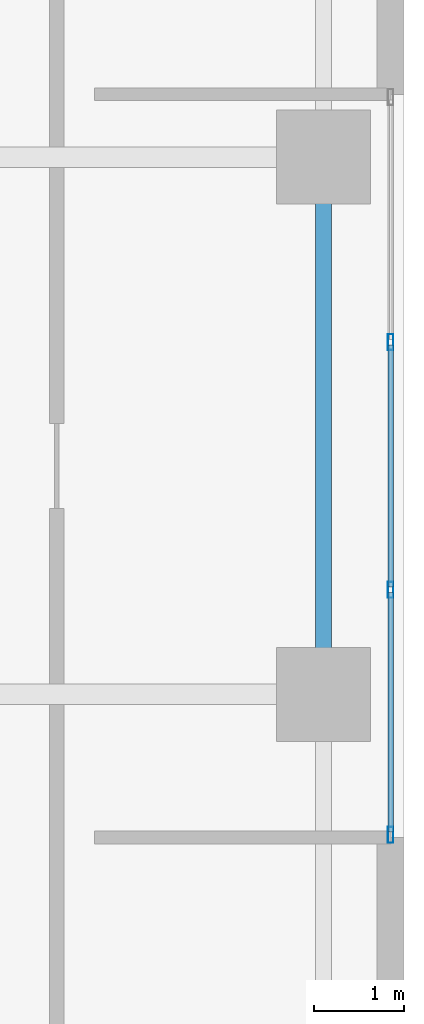
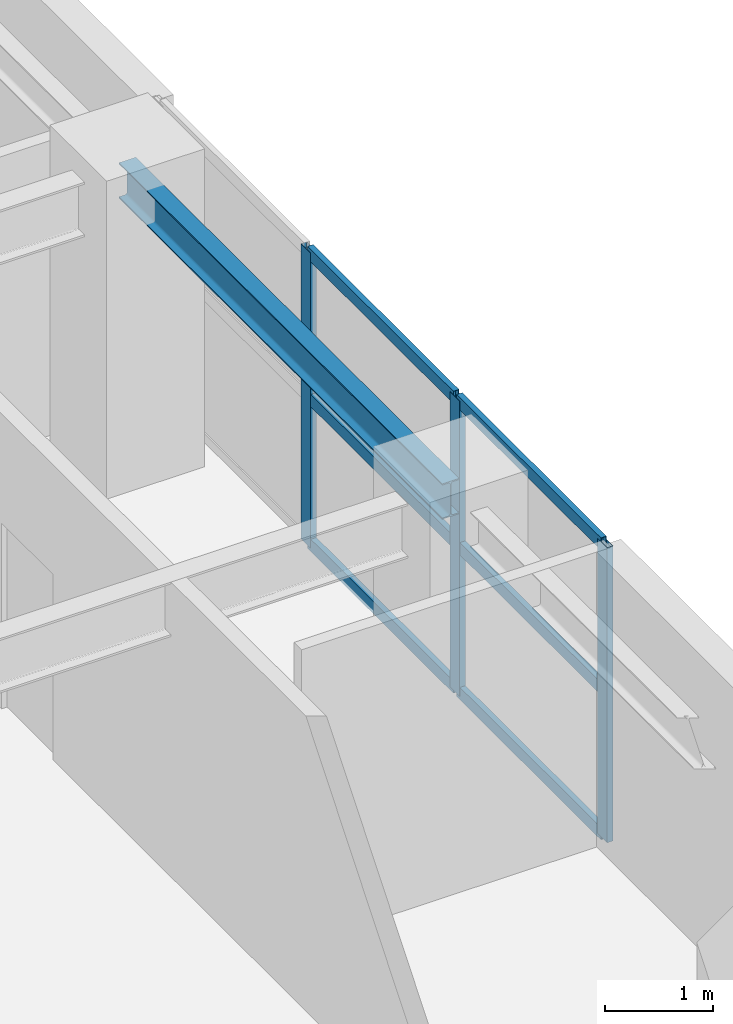
# One storey, part 4 of 15: 9 members, 1 beam, 1 element without a shape of its own.
"""IFC4 building model written with IfcOpenShell, lengths in metres."""

from ifc_helpers import new_model, si_unit, direction, frame, origin, origin_2d, place, context, subcontext, project, spatial, hollow_rectangle, i_section, extrude, source, transform, mapped, material, layer, layer_set, material_profile, profile_set, type_object, element, aggregate, save


model = new_model("IFC4")

# Units and contexts
model_context = context("Model", 3, precision=1e-05, world=origin(), true_north=direction((0.0, 1.0)))
body_context = subcontext(model_context, "Body", "Model", "MODEL_VIEW")
ifc_project = project(units=[si_unit("LENGTHUNIT", "METRE"), si_unit("AREAUNIT", "SQUARE_METRE"), si_unit("VOLUMEUNIT", "CUBIC_METRE"), si_unit("PLANEANGLEUNIT", "RADIAN"), si_unit("MASSUNIT", "GRAM", prefix="KILO")], contexts=[model_context])

# Site, building, storey
site_placement = place(None, origin())
site = spatial("IfcSite", under=ifc_project, at=site_placement, CompositionType="ELEMENT")
building_placement = place(site_placement, origin())
building = spatial("IfcBuilding", under=site, at=building_placement, Name="Khoralis Quay Care Tower", CompositionType="ELEMENT")
storey_placement = place(building_placement, frame((0.0, 0.0, 123.300048828125)))
storey = spatial("IfcBuildingStorey", under=building, at=storey_placement, Name="L32", CompositionType="ELEMENT", Elevation=123.300048828125)

# Beam
ifc_material_1 = material(Name="Steel S355", Category="steel")
ifc_material_profile_1 = material_profile(ifc_material_1, i_section(OverallWidth=0.179931640625, OverallDepth=0.39990234375, WebThickness=0.008544921875, FlangeThickness=0.013427734375, FilletRadius=0.02099609375, at=origin_2d()), Name="Steel S355")
ifc_profile_set_1 = profile_set([ifc_material_profile_1], Name="Steel S355")
beam_type = type_object("IfcBeamType", Name="BM-IPE400", PredefinedType="SPANDREL", material=ifc_profile_set_1)
shared_shape_1 = source(origin(), body_context, "Body", "SweptSolid", [
    extrude(i_section(OverallWidth=0.179931640625, OverallDepth=0.39990234375, WebThickness=0.008544921875, FlangeThickness=0.013427734375, FilletRadius=0.02099609375, at=origin_2d()), origin(), (0.0, 0.0, 1.0), 6.0),
])
beam_placement = place(storey_placement, frame((44.10009765625, 18.0, 3.139892578125), z_axis=(0.0, 1.0, 0.0), x_axis=(-1.0, 0.0, 0.0)))
element("IfcBeam", 1, at=beam_placement, inside=storey, type_object=beam_type, Name="BM-TSP-L32-18", PredefinedType="SPANDREL", context=body_context, shape_type="MappedRepresentation", body=[
    mapped(shared_shape_1, transform((0.0, 0.0, 0.0), scale=1.0)),
])

# Curtain wall, members
ifc_material_2 = material(Name="Pale anodised aluminium", Category="aluminium")
ifc_layer = layer(ifc_material_2, 0.169921875)
ifc_layer_set = layer_set([ifc_layer], Name="Pale anodised aluminium")
curtain_wall_type = type_object("IfcCurtainWallType", Name="CW-SYS-Z2", PredefinedType="NOTDEFINED", material=ifc_layer_set)
curtain_wall_placement = place(storey_placement, origin())
curtain_wall = element("IfcCurtainWall", 2, at=curtain_wall_placement, inside=storey, type_object=curtain_wall_type, Name="L32 Unitised Curtain Wall CW-L32-P1-E5", PredefinedType="NOTDEFINED")
ifc_material_profile_2 = material_profile(ifc_material_2, hollow_rectangle(XDim=0.06005859375, YDim=0.139892578125, WallThickness=0.00390625, at=origin_2d()), Name="Pale anodised aluminium")
ifc_profile_set_2 = profile_set([ifc_material_profile_2], Name="Pale anodised aluminium")
member_type_1 = type_object("IfcMemberType", Name="CW-TRN-140", PredefinedType="USERDEFINED", material=ifc_profile_set_2)
shared_shape_2 = source(origin(), body_context, "Body", "SweptSolid", [
    extrude(hollow_rectangle(XDim=0.06005859375, YDim=0.139892578125, WallThickness=0.00390625, at=origin_2d()), origin(), (0.0, 0.0, 1.0), 2.6767578125),
])
member_1_placement = place(storey_placement, frame((44.85009765625, 16.4599609375, 0.030029296875), z_axis=(0.0, 1.0, 0.0), x_axis=(-1.0, 0.0, 0.0)))
member_1 = element("IfcMember", 3, at=member_1_placement, type_object=member_type_1, Name="CW2 transom 1.1", ObjectType="TRANSOM", PredefinedType="USERDEFINED", context=body_context, shape_type="MappedRepresentation", body=[
    mapped(shared_shape_2, transform((0.0, 0.0, 0.0), scale=1.0)),
])
member_2_placement = place(storey_placement, frame((44.85009765625, 16.4599609375, 1.669921875), z_axis=(0.0, 1.0, 0.0), x_axis=(-1.0, 0.0, 0.0)))
member_2 = element("IfcMember", 4, at=member_2_placement, type_object=member_type_1, Name="CW2 transom 1.2", ObjectType="TRANSOM", PredefinedType="USERDEFINED", context=body_context, shape_type="MappedRepresentation", body=[
    mapped(shared_shape_2, transform((0.0, 0.0, 0.0), scale=1.0)),
])
member_3_placement = place(storey_placement, frame((44.85009765625, 16.4599609375, 3.31005859375), z_axis=(0.0, 1.0, 0.0), x_axis=(-1.0, 0.0, 0.0)))
member_3 = element("IfcMember", 5, at=member_3_placement, type_object=member_type_1, Name="CW2 transom 1.3", ObjectType="TRANSOM", PredefinedType="USERDEFINED", context=body_context, shape_type="MappedRepresentation", body=[
    mapped(shared_shape_2, transform((0.0, 0.0, 0.0), scale=1.0)),
])
shared_shape_3 = source(origin(), body_context, "Body", "SweptSolid", [
    extrude(hollow_rectangle(XDim=0.06005859375, YDim=0.139892578125, WallThickness=0.00390625, at=origin_2d()), origin(), (0.0, 0.0, 1.0), 2.70654296875),
])
member_4_placement = place(storey_placement, frame((44.85009765625, 19.19677734375, 0.030029296875), z_axis=(0.0, 1.0, 0.0), x_axis=(-1.0, 0.0, 0.0)))
member_4 = element("IfcMember", 6, at=member_4_placement, type_object=member_type_1, Name="CW2 transom 2.1", ObjectType="TRANSOM", PredefinedType="USERDEFINED", context=body_context, shape_type="MappedRepresentation", body=[
    mapped(shared_shape_3, transform((0.0, 0.0, 0.0), scale=1.0)),
])
member_5_placement = place(storey_placement, frame((44.85009765625, 19.19677734375, 1.669921875), z_axis=(0.0, 1.0, 0.0), x_axis=(-1.0, 0.0, 0.0)))
member_5 = element("IfcMember", 7, at=member_5_placement, type_object=member_type_1, Name="CW2 transom 2.2", ObjectType="TRANSOM", PredefinedType="USERDEFINED", context=body_context, shape_type="MappedRepresentation", body=[
    mapped(shared_shape_3, transform((0.0, 0.0, 0.0), scale=1.0)),
])
member_6_placement = place(storey_placement, frame((44.85009765625, 19.19677734375, 3.31005859375), z_axis=(0.0, 1.0, 0.0), x_axis=(-1.0, 0.0, 0.0)))
member_6 = element("IfcMember", 8, at=member_6_placement, type_object=member_type_1, Name="CW2 transom 2.3", ObjectType="TRANSOM", PredefinedType="USERDEFINED", context=body_context, shape_type="MappedRepresentation", body=[
    mapped(shared_shape_3, transform((0.0, 0.0, 0.0), scale=1.0)),
])
ifc_material_profile_3 = material_profile(ifc_material_2, hollow_rectangle(XDim=0.06494140625, YDim=0.179931640625, WallThickness=0.00390625, at=origin_2d()), Name="Pale anodised aluminium")
ifc_profile_set_3 = profile_set([ifc_material_profile_3], Name="Pale anodised aluminium")
member_type_2 = type_object("IfcMemberType", Name="CW-MUL-180", PredefinedType="MULLION", material=ifc_profile_set_3)
shared_shape_4 = source(origin(), body_context, "Body", "SweptSolid", [
    extrude(hollow_rectangle(XDim=0.06494140625, YDim=0.179931640625, WallThickness=0.00390625, at=origin_2d()), origin(), (0.0, 0.0, 1.0), 3.33984375),
])
member_7_placement = place(storey_placement, frame((44.85009765625, 16.429931640625, 0.0), z_axis=(0.0, 0.0, 1.0), x_axis=(-1.0, 0.0, 0.0)))
member_7 = element("IfcMember", 9, at=member_7_placement, type_object=member_type_2, Name="CW2 mullion 1", PredefinedType="MULLION", context=body_context, shape_type="MappedRepresentation", body=[
    mapped(shared_shape_4, transform((0.0, 0.0, 0.0), scale=1.0)),
])
member_8_placement = place(storey_placement, frame((44.85009765625, 19.166748046875, 0.0), z_axis=(0.0, 0.0, 1.0), x_axis=(-1.0, 0.0, 0.0)))
member_8 = element("IfcMember", 10, at=member_8_placement, type_object=member_type_2, Name="CW2 mullion 2", PredefinedType="MULLION", context=body_context, shape_type="MappedRepresentation", body=[
    mapped(shared_shape_4, transform((0.0, 0.0, 0.0), scale=1.0)),
])
member_9_placement = place(storey_placement, frame((44.85009765625, 21.933349609375, 0.0), z_axis=(0.0, 0.0, 1.0), x_axis=(-1.0, 0.0, 0.0)))
member_9 = element("IfcMember", 11, at=member_9_placement, type_object=member_type_2, Name="CW2 mullion 3", PredefinedType="MULLION", context=body_context, shape_type="MappedRepresentation", body=[
    mapped(shared_shape_4, transform((0.0, 0.0, 0.0), scale=1.0)),
])
aggregate(curtain_wall, [member_7, member_8, member_9, member_1, member_2, member_3, member_4, member_5, member_6])

save(model, "model.ifc")
